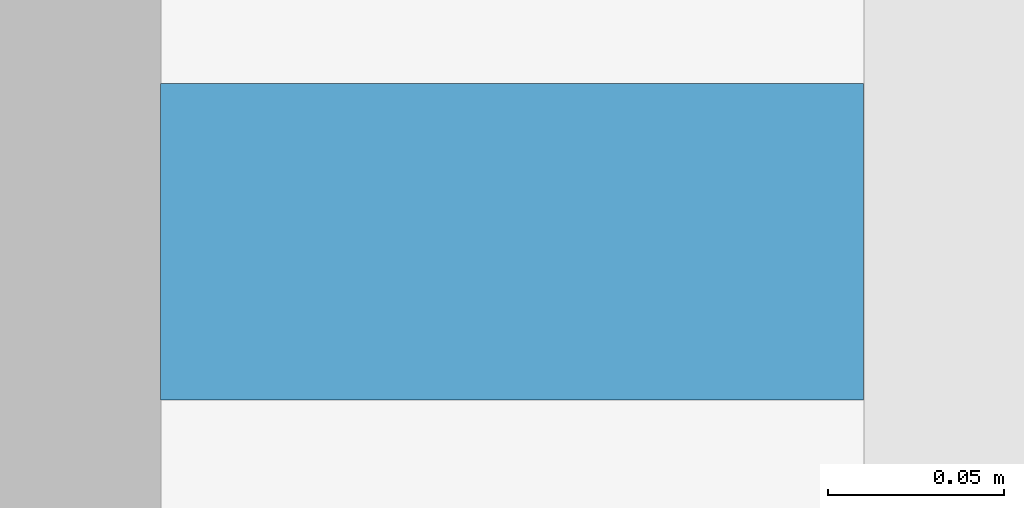
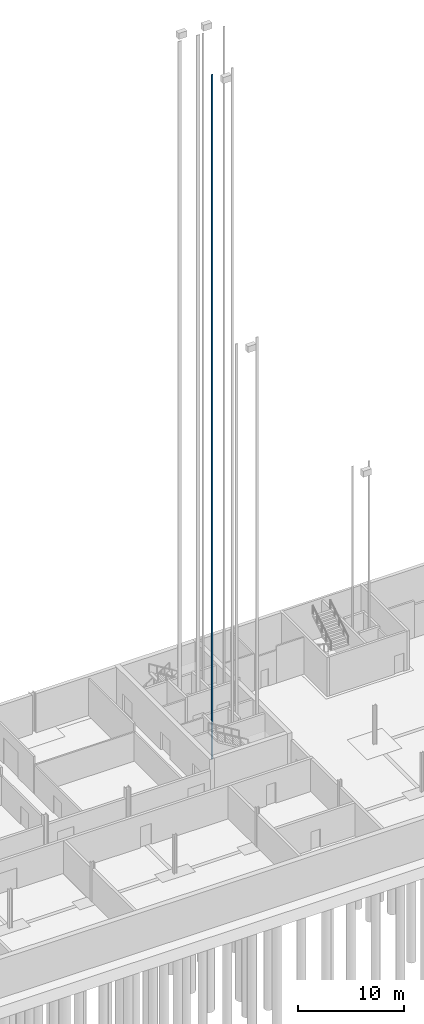
# One storey, part 27 of 41: 1 discrete accessory.
"""IFC4 building model written with IfcOpenShell, lengths in metres."""

import ifcopenshell
import ifcopenshell.guid

model = None  # the IFC model being written
_history = None  # IfcOwnerHistory: only IFC2X3 demands one
_inside = {}  # id of a spatial element -> (the spatial element, [elements in it])
_under = {}  # id of a project, library or spatial element -> (it, [spatial elements below it])
_declared = {}  # id of a project -> (the project, [libraries it declares])
_typed = {}  # id of a type object -> (the type object, [elements of that type])
_made_of = {}  # id of a material, layer set ... -> (it, [elements and type objects made of it])


def new_model(schema):
    """Start an empty IFC model of exactly this schema.

    Asked for "IFC4X3", IfcOpenShell would pick the latest addendum, in which some entities
    have other attributes; the version numbers below select the first issue.
    IFC2X3 requires an IfcOwnerHistory on every rooted entity: one is made here for all.
    """
    global model, _history
    if schema == "IFC4X3":
        model = ifcopenshell.file(schema_version=(4, 3, 0, 0))
    else:
        model = ifcopenshell.file(schema=schema)
    _inside.clear()
    _under.clear()
    _declared.clear()
    _typed.clear()
    _made_of.clear()
    _history = None
    if model.schema == "IFC2X3":
        org = make("IfcOrganization", Name="unknown")
        user = make(
            "IfcPersonAndOrganization",
            ThePerson=make("IfcPerson", FamilyName="unknown"),
            TheOrganization=org,
        )
        app = make(
            "IfcApplication",
            ApplicationDeveloper=org,
            Version="unknown",
            ApplicationFullName="unknown",
            ApplicationIdentifier="unknown",
        )
        _history = make(
            "IfcOwnerHistory",
            OwningUser=user,
            OwningApplication=app,
            ChangeAction="ADDED",
            CreationDate=0,
        )
    return model


def make(cls, **values):
    """One entity of the class cls with the attributes given. An attribute that is None is left unset."""
    return model.create_entity(
        cls, **{name: value for name, value in values.items() if value is not None}
    )


def rooted(cls, **values):
    """An entity with a GlobalId (a new one), such as an element, a storey or a relation."""
    return make(cls, GlobalId=ifcopenshell.guid.new(), OwnerHistory=_history, **values)


def si_unit(unit_type, name, prefix=None):
    """IfcSIUnit, for example si_unit("LENGTHUNIT", "METRE", prefix="MILLI")."""
    return make("IfcSIUnit", UnitType=unit_type, Prefix=prefix, Name=name)


def assignment(units):
    """IfcUnitAssignment: the units of a project."""
    return None if units is None else make("IfcUnitAssignment", Units=units)


def point(xyz):
    """IfcCartesianPoint."""
    return None if xyz is None else make("IfcCartesianPoint", Coordinates=xyz)


def direction(xyz):
    """IfcDirection."""
    return None if xyz is None else make("IfcDirection", DirectionRatios=xyz)


def frame(location, z_axis=None, x_axis=None):
    """IfcAxis2Placement3D, a coordinate frame: its origin and axes. An axis left out is left unset."""
    return make(
        "IfcAxis2Placement3D",
        Location=point(location),
        Axis=direction(z_axis),
        RefDirection=direction(x_axis),
    )


def frame_2d(location, x_axis=None):
    """IfcAxis2Placement2D, a coordinate frame in the plane: its origin and x axis."""
    return make(
        "IfcAxis2Placement2D", Location=point(location), RefDirection=direction(x_axis)
    )


def origin():
    """The frame at (0, 0, 0) with its axes left unset."""
    return frame((0.0, 0.0, 0.0))


def origin_2d():
    """The frame at (0, 0) in the plane with its x axis left unset."""
    return frame_2d((0.0, 0.0))


def place(relative_to, where):
    """IfcLocalPlacement: puts the frame where relative to a parent placement (None: the world)."""
    return make(
        "IfcLocalPlacement", PlacementRelTo=relative_to, RelativePlacement=where
    )


def context(
    kind, dimensions, precision=None, world=None, true_north=None, identifier=None
):
    """IfcGeometricRepresentationContext, for example the 3D "Model" context."""
    return make(
        "IfcGeometricRepresentationContext",
        ContextIdentifier=identifier,
        ContextType=kind,
        CoordinateSpaceDimension=dimensions,
        Precision=precision,
        WorldCoordinateSystem=world,
        TrueNorth=true_north,
    )


def subcontext(parent, identifier, kind, view, scale=None):
    """IfcGeometricRepresentationSubContext, for example "Body" below "Model"."""
    return make(
        "IfcGeometricRepresentationSubContext",
        ContextIdentifier=identifier,
        ContextType=kind,
        ParentContext=parent,
        TargetScale=scale,
        TargetView=view,
    )


def project(units=None, contexts=None):
    """IfcProject with its units and contexts."""
    return rooted(
        "IfcProject",
        Name="project",
        RepresentationContexts=contexts,
        UnitsInContext=assignment(units),
    )


def spatial(cls, under=None, at=None, **own):
    """A site, building, storey or space (cls), placed at a placement, below another one or the project."""
    s = rooted(cls, ObjectPlacement=at, **own)
    if under is not None:
        _under.setdefault(under.id(), (under, []))[1].append(s)
    return s


def profile(cls, at=None, kind="AREA", **sizes):
    """A parametric profile (cls). Its sizes go by their IFC names, for example OverallWidth=200.0."""
    return make(cls, ProfileType=kind, Position=at, **sizes)


def rectangle(**sizes):
    """IfcRectangleProfileDef."""
    return profile("IfcRectangleProfileDef", **sizes)


def extrude(swept, where, along, depth):
    """IfcExtrudedAreaSolid: the profile swept, set in the frame where, extruded along a direction by depth."""
    return make(
        "IfcExtrudedAreaSolid",
        SweptArea=swept,
        Position=where,
        ExtrudedDirection=direction(along),
        Depth=depth,
    )


def shape(context_of_items, identifier, shape_type, items):
    """IfcShapeRepresentation: the items that make up one representation, for example the "Body"."""
    return make(
        "IfcShapeRepresentation",
        ContextOfItems=context_of_items,
        RepresentationIdentifier=identifier,
        RepresentationType=shape_type,
        Items=items,
    )


def material(Name=None, Category=None):
    """IfcMaterial."""
    return make("IfcMaterial", Name=Name, Category=Category)


def made_of(thing, what):
    """Note that an element or type object is made of a material, layer set ...; save() writes the relation."""
    if what is not None:
        _made_of.setdefault(what.id(), (what, []))[1].append(thing)
    return thing


def type_object(cls, material=None, **own):
    """A type object (cls), such as IfcWallType, which elements share."""
    return made_of(rooted(cls, **own), material)


def element(
    cls,
    number,
    at=None,
    inside=None,
    cuts=None,
    type_object=None,
    material=None,
    context=None,
    identifier="Body",
    shape_type=None,
    held_by="IfcProductDefinitionShape",
    body=None,
    shapes=None,
    **own,
):
    """One element of the class cls, such as IfcWall. Its Tag is "e" and its number.

    at: its placement. inside: the storey or other place that contains it. cuts: it is an
    opening in that element (IfcRelVoidsElement). A single representation is given by context,
    identifier, shape_type and body (its items); several are given by shapes. held_by: the class
    of the entity that holds the representations. save() writes the other relations.
    """
    e = rooted(cls, Tag="e%d" % number, ObjectPlacement=at, **own)
    if body is not None:
        shapes = [shape(context, identifier, shape_type, body)]
    if shapes is not None:
        e.Representation = make(held_by, Representations=shapes)
    if inside is not None:
        _inside.setdefault(inside.id(), (inside, []))[1].append(e)
    if cuts is not None:
        rooted(
            "IfcRelVoidsElement", RelatingBuildingElement=cuts, RelatedOpeningElement=e
        )
    if type_object is not None:
        _typed.setdefault(type_object.id(), (type_object, []))[1].append(e)
    return made_of(e, material)


def aggregate(whole, parts):
    """IfcRelAggregates: a whole, such as a stair, and the parts it consists of."""
    return rooted("IfcRelAggregates", RelatingObject=whole, RelatedObjects=parts)


def save(model, path):
    """Write the relations noted so far, then the file.

    IfcRelAggregates (storeys below a building ...), IfcRelContainedInSpatialStructure (elements
    in a storey), IfcRelDefinesByType, IfcRelAssociatesMaterial and IfcRelDeclares: one each for
    every whole, place, type object, material and project.
    """
    for whole, parts in _under.values():
        aggregate(whole, parts)
    for where, things in _inside.values():
        rooted(
            "IfcRelContainedInSpatialStructure",
            RelatedElements=things,
            RelatingStructure=where,
        )
    for kind, things in _typed.values():
        rooted("IfcRelDefinesByType", RelatedObjects=things, RelatingType=kind)
    for what, things in _made_of.values():
        rooted("IfcRelAssociatesMaterial", RelatedObjects=things, RelatingMaterial=what)
    for by, libraries in _declared.values():
        rooted("IfcRelDeclares", RelatingContext=by, RelatedDefinitions=libraries)
    model.write(path)


model = new_model("IFC4")

# Units and contexts
model_context = context("Model", 3, precision=1e-05, world=origin(), true_north=direction((0.0, 1.0)))
body_context = subcontext(model_context, "Body", "Model", "MODEL_VIEW")
ifc_project = project(units=[si_unit("LENGTHUNIT", "METRE"), si_unit("AREAUNIT", "SQUARE_METRE"), si_unit("VOLUMEUNIT", "CUBIC_METRE"), si_unit("PLANEANGLEUNIT", "RADIAN"), si_unit("MASSUNIT", "GRAM", prefix="KILO")], contexts=[model_context])

# Site, building, storey
site_placement = place(None, origin())
site = spatial("IfcSite", under=ifc_project, at=site_placement, CompositionType="ELEMENT")
building_placement = place(site_placement, origin())
building = spatial("IfcBuilding", under=site, at=building_placement, Name="Corbel Yard City Hall", CompositionType="ELEMENT")
storey_placement = place(building_placement, frame((0.0, 0.0, -4.5)))
storey = spatial("IfcBuildingStorey", under=building, at=storey_placement, Name="B1", CompositionType="ELEMENT", Elevation=-4.5)

# Discrete accessory
ifc_material = material(Name="Steel Grade G250", Category="steel")
discrete_accessory_type = type_object("IfcDiscreteAccessoryType", Name="LR1", PredefinedType="USERDEFINED", material=ifc_material)
discrete_accessory_placement = place(storey_placement, frame((48.449951171875, 104.550048828125, 0.0), z_axis=(0.0, 0.0, 1.0), x_axis=(1.0, 0.0, 0.0)))
element("IfcDiscreteAccessory", 1, at=discrete_accessory_placement, inside=storey, type_object=discrete_accessory_type, Name="Lift LP25 guide rail 1", ObjectType="GUIDE RAIL", PredefinedType="USERDEFINED", context=body_context, shape_type="SweptSolid", body=[
    extrude(rectangle(XDim=0.199951171875, YDim=0.090087890625, at=origin_2d()), origin(), (0.0, 0.0, 1.0), 79.0),
])

save(model, "model.ifc")
